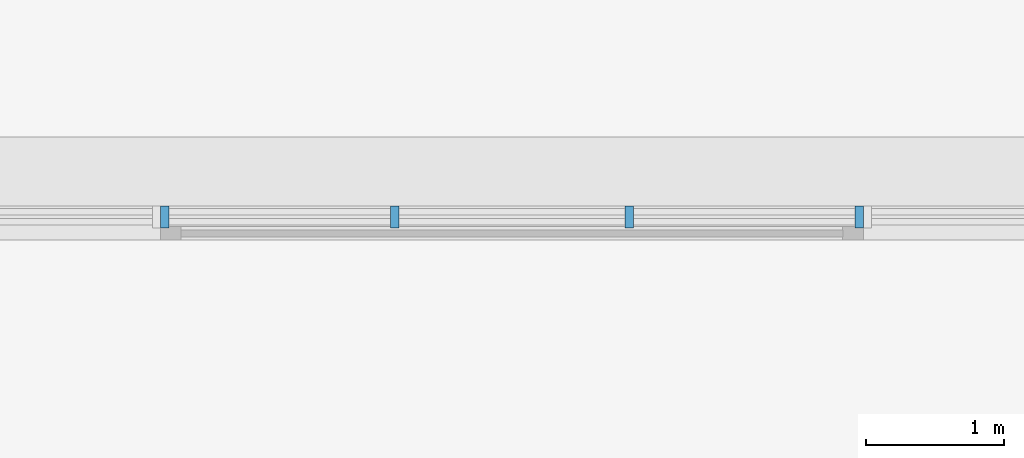
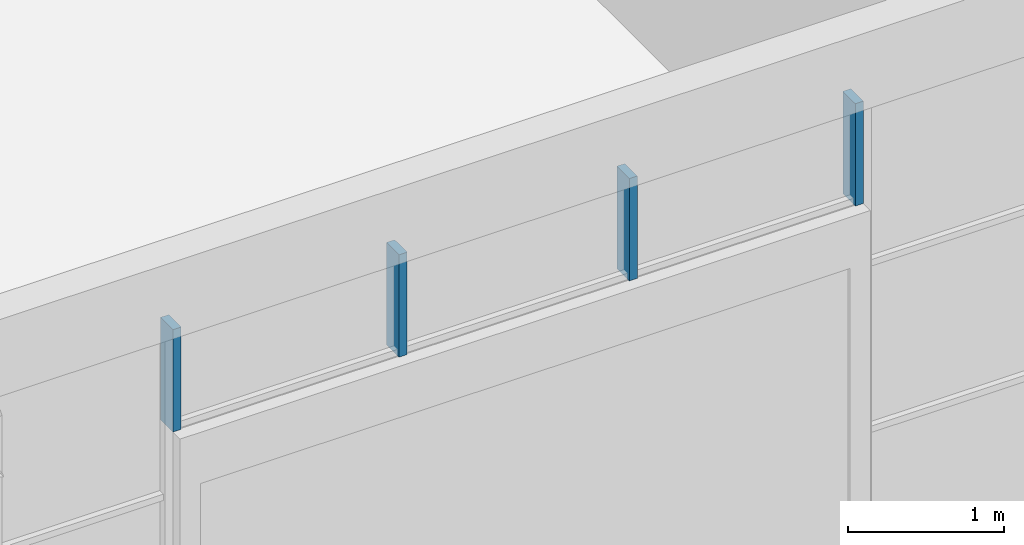
# One storey, part 69 of 168: 4 members, 1 element without a shape of its own.
"""IFC4 building model written with IfcOpenShell, lengths in metres."""

import ifcopenshell
import ifcopenshell.guid

model = None  # the IFC model being written
_history = None  # IfcOwnerHistory: only IFC2X3 demands one
_inside = {}  # id of a spatial element -> (the spatial element, [elements in it])
_under = {}  # id of a project, library or spatial element -> (it, [spatial elements below it])
_declared = {}  # id of a project -> (the project, [libraries it declares])
_typed = {}  # id of a type object -> (the type object, [elements of that type])
_made_of = {}  # id of a material, layer set ... -> (it, [elements and type objects made of it])


def new_model(schema):
    """Start an empty IFC model of exactly this schema.

    Asked for "IFC4X3", IfcOpenShell would pick the latest addendum, in which some entities
    have other attributes; the version numbers below select the first issue.
    IFC2X3 requires an IfcOwnerHistory on every rooted entity: one is made here for all.
    """
    global model, _history
    if schema == "IFC4X3":
        model = ifcopenshell.file(schema_version=(4, 3, 0, 0))
    else:
        model = ifcopenshell.file(schema=schema)
    _inside.clear()
    _under.clear()
    _declared.clear()
    _typed.clear()
    _made_of.clear()
    _history = None
    if model.schema == "IFC2X3":
        org = make("IfcOrganization", Name="unknown")
        user = make(
            "IfcPersonAndOrganization",
            ThePerson=make("IfcPerson", FamilyName="unknown"),
            TheOrganization=org,
        )
        app = make(
            "IfcApplication",
            ApplicationDeveloper=org,
            Version="unknown",
            ApplicationFullName="unknown",
            ApplicationIdentifier="unknown",
        )
        _history = make(
            "IfcOwnerHistory",
            OwningUser=user,
            OwningApplication=app,
            ChangeAction="ADDED",
            CreationDate=0,
        )
    return model


def make(cls, **values):
    """One entity of the class cls with the attributes given. An attribute that is None is left unset."""
    return model.create_entity(
        cls, **{name: value for name, value in values.items() if value is not None}
    )


def rooted(cls, **values):
    """An entity with a GlobalId (a new one), such as an element, a storey or a relation."""
    return make(cls, GlobalId=ifcopenshell.guid.new(), OwnerHistory=_history, **values)


def si_unit(unit_type, name, prefix=None):
    """IfcSIUnit, for example si_unit("LENGTHUNIT", "METRE", prefix="MILLI")."""
    return make("IfcSIUnit", UnitType=unit_type, Prefix=prefix, Name=name)


def assignment(units):
    """IfcUnitAssignment: the units of a project."""
    return None if units is None else make("IfcUnitAssignment", Units=units)


def point(xyz):
    """IfcCartesianPoint."""
    return None if xyz is None else make("IfcCartesianPoint", Coordinates=xyz)


def direction(xyz):
    """IfcDirection."""
    return None if xyz is None else make("IfcDirection", DirectionRatios=xyz)


def frame(location, z_axis=None, x_axis=None):
    """IfcAxis2Placement3D, a coordinate frame: its origin and axes. An axis left out is left unset."""
    return make(
        "IfcAxis2Placement3D",
        Location=point(location),
        Axis=direction(z_axis),
        RefDirection=direction(x_axis),
    )


def frame_2d(location, x_axis=None):
    """IfcAxis2Placement2D, a coordinate frame in the plane: its origin and x axis."""
    return make(
        "IfcAxis2Placement2D", Location=point(location), RefDirection=direction(x_axis)
    )


def origin():
    """The frame at (0, 0, 0) with its axes left unset."""
    return frame((0.0, 0.0, 0.0))


def origin_2d():
    """The frame at (0, 0) in the plane with its x axis left unset."""
    return frame_2d((0.0, 0.0))


def place(relative_to, where):
    """IfcLocalPlacement: puts the frame where relative to a parent placement (None: the world)."""
    return make(
        "IfcLocalPlacement", PlacementRelTo=relative_to, RelativePlacement=where
    )


def context(
    kind, dimensions, precision=None, world=None, true_north=None, identifier=None
):
    """IfcGeometricRepresentationContext, for example the 3D "Model" context."""
    return make(
        "IfcGeometricRepresentationContext",
        ContextIdentifier=identifier,
        ContextType=kind,
        CoordinateSpaceDimension=dimensions,
        Precision=precision,
        WorldCoordinateSystem=world,
        TrueNorth=true_north,
    )


def subcontext(parent, identifier, kind, view, scale=None):
    """IfcGeometricRepresentationSubContext, for example "Body" below "Model"."""
    return make(
        "IfcGeometricRepresentationSubContext",
        ContextIdentifier=identifier,
        ContextType=kind,
        ParentContext=parent,
        TargetScale=scale,
        TargetView=view,
    )


def project(units=None, contexts=None):
    """IfcProject with its units and contexts."""
    return rooted(
        "IfcProject",
        Name="project",
        RepresentationContexts=contexts,
        UnitsInContext=assignment(units),
    )


def spatial(cls, under=None, at=None, **own):
    """A site, building, storey or space (cls), placed at a placement, below another one or the project."""
    s = rooted(cls, ObjectPlacement=at, **own)
    if under is not None:
        _under.setdefault(under.id(), (under, []))[1].append(s)
    return s


def profile(cls, at=None, kind="AREA", **sizes):
    """A parametric profile (cls). Its sizes go by their IFC names, for example OverallWidth=200.0."""
    return make(cls, ProfileType=kind, Position=at, **sizes)


def rectangle(**sizes):
    """IfcRectangleProfileDef."""
    return profile("IfcRectangleProfileDef", **sizes)


def extrude(swept, where, along, depth):
    """IfcExtrudedAreaSolid: the profile swept, set in the frame where, extruded along a direction by depth."""
    return make(
        "IfcExtrudedAreaSolid",
        SweptArea=swept,
        Position=where,
        ExtrudedDirection=direction(along),
        Depth=depth,
    )


def shape(context_of_items, identifier, shape_type, items):
    """IfcShapeRepresentation: the items that make up one representation, for example the "Body"."""
    return make(
        "IfcShapeRepresentation",
        ContextOfItems=context_of_items,
        RepresentationIdentifier=identifier,
        RepresentationType=shape_type,
        Items=items,
    )


def material(Name=None, Category=None):
    """IfcMaterial."""
    return make("IfcMaterial", Name=Name, Category=Category)


def material_profile(
    of_material, cross_section, Name=None, Category=None, Priority=None
):
    """IfcMaterialProfile: a cross section and its material."""
    return make(
        "IfcMaterialProfile",
        Name=Name,
        Material=of_material,
        Profile=cross_section,
        Priority=Priority,
        Category=Category,
    )


def profile_set(profiles, Name=None, composite=None):
    """IfcMaterialProfileSet."""
    return make(
        "IfcMaterialProfileSet",
        Name=Name,
        MaterialProfiles=profiles,
        CompositeProfile=composite,
    )


def made_of(thing, what):
    """Note that an element or type object is made of a material, layer set ...; save() writes the relation."""
    if what is not None:
        _made_of.setdefault(what.id(), (what, []))[1].append(thing)
    return thing


def type_object(cls, material=None, **own):
    """A type object (cls), such as IfcWallType, which elements share."""
    return made_of(rooted(cls, **own), material)


def element(
    cls,
    number,
    at=None,
    inside=None,
    cuts=None,
    type_object=None,
    material=None,
    context=None,
    identifier="Body",
    shape_type=None,
    held_by="IfcProductDefinitionShape",
    body=None,
    shapes=None,
    **own,
):
    """One element of the class cls, such as IfcWall. Its Tag is "e" and its number.

    at: its placement. inside: the storey or other place that contains it. cuts: it is an
    opening in that element (IfcRelVoidsElement). A single representation is given by context,
    identifier, shape_type and body (its items); several are given by shapes. held_by: the class
    of the entity that holds the representations. save() writes the other relations.
    """
    e = rooted(cls, Tag="e%d" % number, ObjectPlacement=at, **own)
    if body is not None:
        shapes = [shape(context, identifier, shape_type, body)]
    if shapes is not None:
        e.Representation = make(held_by, Representations=shapes)
    if inside is not None:
        _inside.setdefault(inside.id(), (inside, []))[1].append(e)
    if cuts is not None:
        rooted(
            "IfcRelVoidsElement", RelatingBuildingElement=cuts, RelatedOpeningElement=e
        )
    if type_object is not None:
        _typed.setdefault(type_object.id(), (type_object, []))[1].append(e)
    return made_of(e, material)


def aggregate(whole, parts):
    """IfcRelAggregates: a whole, such as a stair, and the parts it consists of."""
    return rooted("IfcRelAggregates", RelatingObject=whole, RelatedObjects=parts)


def save(model, path):
    """Write the relations noted so far, then the file.

    IfcRelAggregates (storeys below a building ...), IfcRelContainedInSpatialStructure (elements
    in a storey), IfcRelDefinesByType, IfcRelAssociatesMaterial and IfcRelDeclares: one each for
    every whole, place, type object, material and project.
    """
    for whole, parts in _under.values():
        aggregate(whole, parts)
    for where, things in _inside.values():
        rooted(
            "IfcRelContainedInSpatialStructure",
            RelatedElements=things,
            RelatingStructure=where,
        )
    for kind, things in _typed.values():
        rooted("IfcRelDefinesByType", RelatedObjects=things, RelatingType=kind)
    for what, things in _made_of.values():
        rooted("IfcRelAssociatesMaterial", RelatedObjects=things, RelatingMaterial=what)
    for by, libraries in _declared.values():
        rooted("IfcRelDeclares", RelatingContext=by, RelatedDefinitions=libraries)
    model.write(path)


model = new_model("IFC4")

# Units and contexts
model_context = context("Model", 3, precision=1e-05, world=origin(), true_north=direction((0.0, 1.0)))
body_context = subcontext(model_context, "Body", "Model", "MODEL_VIEW")
ifc_project = project(units=[si_unit("LENGTHUNIT", "METRE"), si_unit("AREAUNIT", "SQUARE_METRE"), si_unit("VOLUMEUNIT", "CUBIC_METRE"), si_unit("PLANEANGLEUNIT", "RADIAN"), si_unit("MASSUNIT", "GRAM", prefix="KILO")], contexts=[model_context])

# Site, building, storey
site_placement = place(None, origin())
site = spatial("IfcSite", under=ifc_project, at=site_placement, CompositionType="ELEMENT")
building_placement = place(site_placement, origin())
building = spatial("IfcBuilding", under=site, at=building_placement, Name="Silverbay Arena", CompositionType="ELEMENT")
storey_placement = place(building_placement, frame((0.0, 0.0, 7.0)))
storey = spatial("IfcBuildingStorey", under=building, at=storey_placement, Name="L01", CompositionType="ELEMENT", Elevation=7.0)

# Curtain wall, members
ifc_material_1 = material(Name="Aluminium framed curtain wall", Category="aluminium")
curtain_wall_type = type_object("IfcCurtainWallType", Name="Curtain wall 5100 x 800", PredefinedType="NOTDEFINED", material=ifc_material_1)
curtain_wall_placement = place(storey_placement, origin())
curtain_wall = element("IfcCurtainWall", 1, at=curtain_wall_placement, inside=storey, type_object=curtain_wall_type, Name="South curtain wall L01 bay 12", PredefinedType="NOTDEFINED")
ifc_material_2 = material(Name="Aluminium", Category="aluminium")
ifc_material_profile = material_profile(ifc_material_2, rectangle(XDim=0.159912109375, YDim=0.06005859375, at=origin_2d()), Name="Mullion 60 x 160")
ifc_profile_set = profile_set([ifc_material_profile], Name="Aluminium")
member_type = type_object("IfcMemberType", Name="Mullion 60 x 160", PredefinedType="MULLION", material=ifc_profile_set)
member_1_placement = place(storey_placement, frame((127.97998046875, 17.669921875, 3.10009765625), z_axis=(0.0, 0.0, 1.0), x_axis=(0.0, 1.0, 0.0)))
member_1 = element("IfcMember", 2, at=member_1_placement, type_object=member_type, Name="CW3 mullion 1", PredefinedType="MULLION", context=body_context, shape_type="SweptSolid", body=[
    extrude(rectangle(XDim=0.159912109375, YDim=0.06005859375, at=origin_2d()), origin(), (0.0, 0.0, 1.0), 0.7998046875),
])
member_2_placement = place(storey_placement, frame((129.64990234375, 17.669921875, 3.10009765625), z_axis=(0.0, 0.0, 1.0), x_axis=(0.0, 1.0, 0.0)))
member_2 = element("IfcMember", 3, at=member_2_placement, type_object=member_type, Name="CW3 mullion 2", PredefinedType="MULLION", context=body_context, shape_type="SweptSolid", body=[
    extrude(rectangle(XDim=0.159912109375, YDim=0.06005859375, at=origin_2d()), origin(), (0.0, 0.0, 1.0), 0.7998046875),
])
member_3_placement = place(storey_placement, frame((131.35009765625, 17.669921875, 3.10009765625), z_axis=(0.0, 0.0, 1.0), x_axis=(0.0, 1.0, 0.0)))
member_3 = element("IfcMember", 4, at=member_3_placement, type_object=member_type, Name="CW3 mullion 3", PredefinedType="MULLION", context=body_context, shape_type="SweptSolid", body=[
    extrude(rectangle(XDim=0.159912109375, YDim=0.06005859375, at=origin_2d()), origin(), (0.0, 0.0, 1.0), 0.7998046875),
])
member_4_placement = place(storey_placement, frame((133.02001953125, 17.669921875, 3.10009765625), z_axis=(0.0, 0.0, 1.0), x_axis=(0.0, 1.0, 0.0)))
member_4 = element("IfcMember", 5, at=member_4_placement, type_object=member_type, Name="CW3 mullion 4", PredefinedType="MULLION", context=body_context, shape_type="SweptSolid", body=[
    extrude(rectangle(XDim=0.159912109375, YDim=0.06005859375, at=origin_2d()), origin(), (0.0, 0.0, 1.0), 0.7998046875),
])
aggregate(curtain_wall, [member_1, member_2, member_3, member_4])

save(model, "model.ifc")
